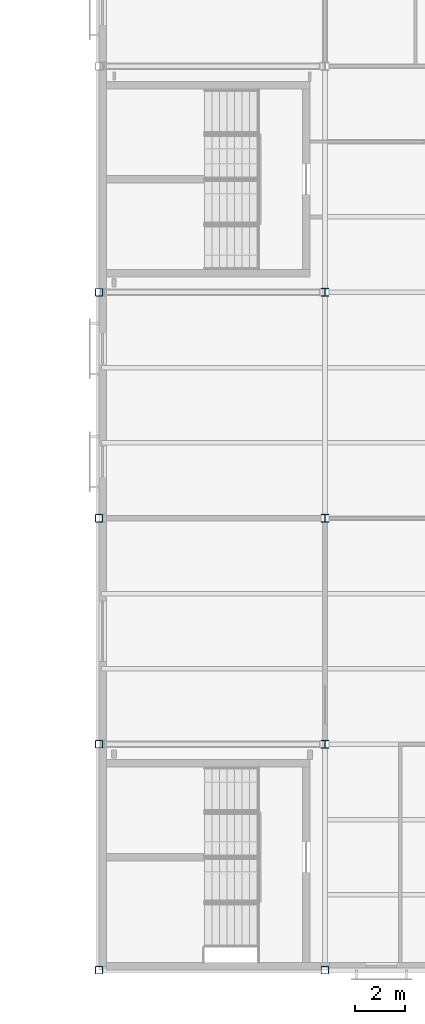
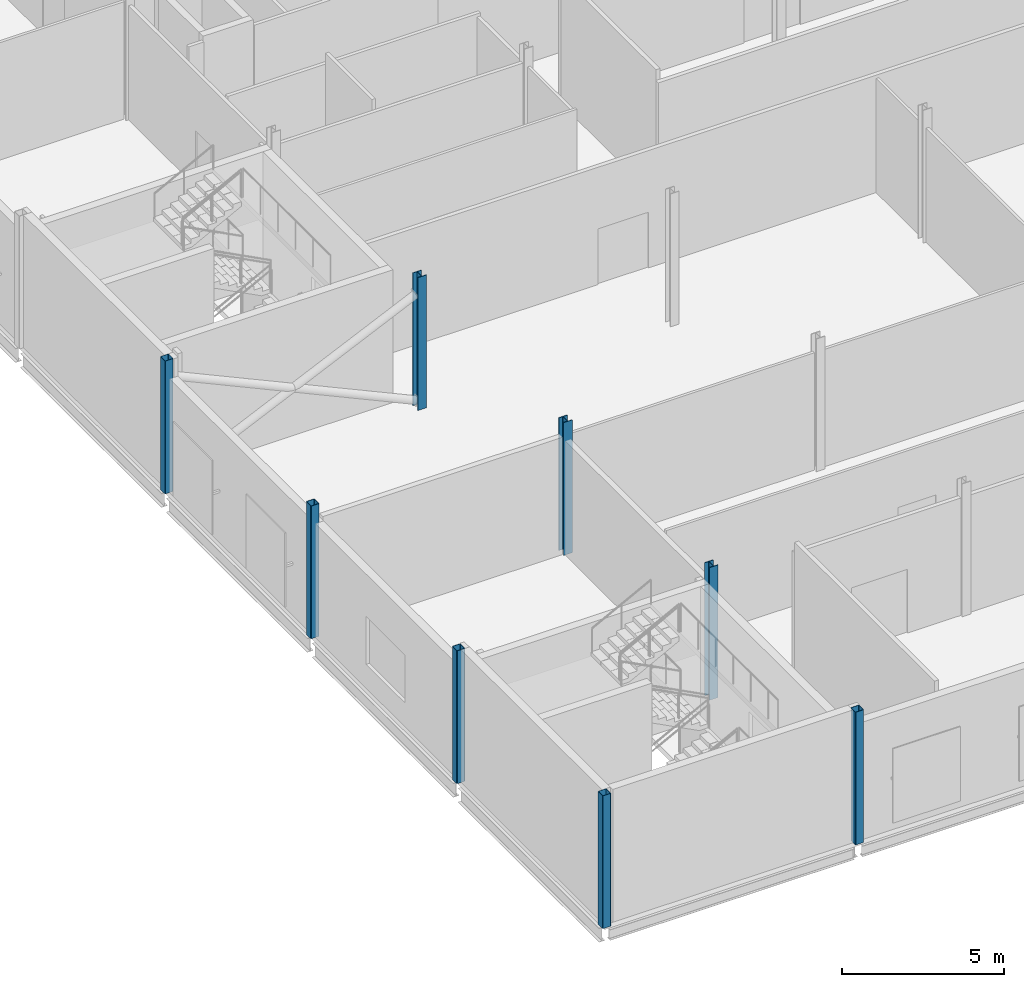
# One storey, part 1 of 112: 8 columns.
"""IFC4 building model written with IfcOpenShell, lengths in metres."""

from ifc_helpers import new_model, si_unit, direction, frame, origin, origin_2d, place, context, subcontext, project, spatial, hollow_rectangle, i_section, extrude, material, material_profile, profile_set, type_object, element, save


model = new_model("IFC4")

# Units and contexts
model_context = context("Model", 3, precision=1e-05, world=origin(), true_north=direction((0.0, 1.0)))
body_context = subcontext(model_context, "Body", "Model", "MODEL_VIEW")
ifc_project = project(units=[si_unit("LENGTHUNIT", "METRE"), si_unit("AREAUNIT", "SQUARE_METRE"), si_unit("VOLUMEUNIT", "CUBIC_METRE"), si_unit("PLANEANGLEUNIT", "RADIAN"), si_unit("MASSUNIT", "GRAM", prefix="KILO")], contexts=[model_context])

# Site, building, storey
site_placement = place(None, origin())
site = spatial("IfcSite", under=ifc_project, at=site_placement, CompositionType="ELEMENT")
building_placement = place(site_placement, origin())
building = spatial("IfcBuilding", under=site, at=building_placement, Name="Shorebreak Coast Museum", CompositionType="ELEMENT")
storey_placement = place(building_placement, frame((0.0, 0.0, 6.0)))
storey = spatial("IfcBuildingStorey", under=building, at=storey_placement, Name="L01", CompositionType="ELEMENT", Elevation=6.0)

# Columns
ifc_material_1 = material(Name="Steel Grade C450L0", Category="steel")
ifc_material_profile_1 = material_profile(ifc_material_1, hollow_rectangle(XDim=0.300048828125, YDim=0.300048828125, WallThickness=0.012451171875, InnerFilletRadius=0.018798828125, OuterFilletRadius=0.03125, at=origin_2d()), Name="300x300x12.5 SHS")
ifc_profile_set_1 = profile_set([ifc_material_profile_1], Name="Steel Grade C450L0")
column_type_1 = type_object("IfcColumnType", Name="Column 300x300x12.5 SHS", PredefinedType="COLUMN", material=ifc_profile_set_1)
for number, where, z_axis, x_axis, name in (
    (1, (54.0, 0.0, 0.0), (0.0, 0.0, 1.0), (1.0, 0.0, 0.0), "Column L01 7A"),
    (2, (63.0, 0.0, 0.0), (0.0, 0.0, 1.0), (1.0, 0.0, 0.0), "Column L01 8A"),
    (3, (54.0, 9.0, 0.0), (0.0, 0.0, 1.0), (1.0, 0.0, 0.0), "Column L01 7B"),
    (4, (54.0, 18.0, 0.0), (0.0, 0.0, 1.0), (1.0, 0.0, 0.0), "Column L01 7C"),
    (5, (54.0, 27.0, 0.0), (0.0, 0.0, 1.0), (1.0, 0.0, 0.0), "Column L01 7D"),
):
    element("IfcColumn", number, at=place(storey_placement, frame(where, z_axis=z_axis, x_axis=x_axis)), inside=storey, type_object=column_type_1, Name=name, PredefinedType="COLUMN", context=body_context, shape_type="SweptSolid", body=[
        extrude(hollow_rectangle(XDim=0.300048828125, YDim=0.300048828125, WallThickness=0.012451171875, InnerFilletRadius=0.018798828125, OuterFilletRadius=0.03125, at=origin_2d()), origin(), (0.0, 0.0, 1.0), 5.0),
    ])
ifc_material_2 = material(Name="Steel Grade 300", Category="steel")
ifc_material_profile_2 = material_profile(ifc_material_2, i_section(OverallWidth=0.30908203125, OverallDepth=0.320556640625, WebThickness=0.013916015625, FlangeThickness=0.021728515625, FilletRadius=0.0166015625, at=origin_2d()), Name="310UC137")
ifc_profile_set_2 = profile_set([ifc_material_profile_2], Name="Steel Grade 300")
column_type_2 = type_object("IfcColumnType", Name="Column 310UC137", PredefinedType="COLUMN", material=ifc_profile_set_2)
for number, where, z_axis, x_axis, name in (
    (6, (63.0, 9.0, 0.0), (0.0, 0.0, 1.0), (1.0, 0.0, 0.0), "Column L01 8B"),
    (7, (63.0, 18.0, 0.0), (0.0, 0.0, 1.0), (1.0, 0.0, 0.0), "Column L01 8C"),
    (8, (63.0, 27.0, 0.0), (0.0, 0.0, 1.0), (1.0, 0.0, 0.0), "Column L01 8D"),
):
    element("IfcColumn", number, at=place(storey_placement, frame(where, z_axis=z_axis, x_axis=x_axis)), inside=storey, type_object=column_type_2, Name=name, PredefinedType="COLUMN", context=body_context, shape_type="SweptSolid", body=[
        extrude(i_section(OverallWidth=0.30908203125, OverallDepth=0.320556640625, WebThickness=0.013916015625, FlangeThickness=0.021728515625, FilletRadius=0.0166015625, at=origin_2d()), origin(), (0.0, 0.0, 1.0), 5.0),
    ])

save(model, "model.ifc")
